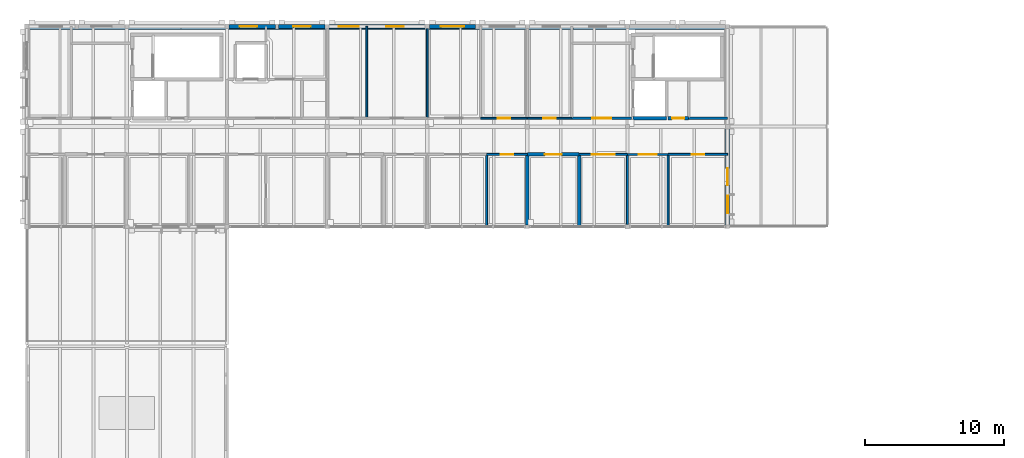
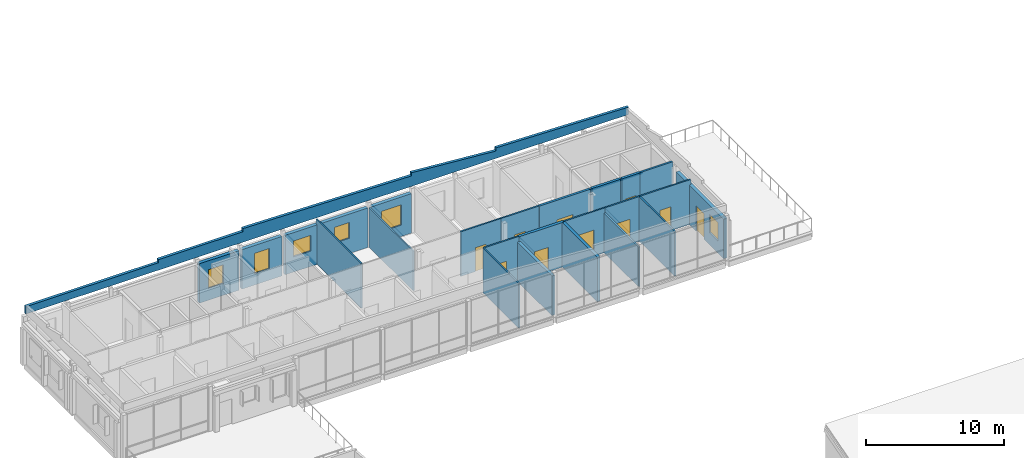
# One storey, part 26 of 32: 24 walls, 10 doors, 6 windows, 16 openings.
"""IFC4 building model written with IfcOpenShell, lengths in metres."""

from ifc_helpers import new_model, si_unit, direction, frame, frame_2d, origin, place, context, subcontext, project, spatial, polyline, rectangle, outline, extrude, material, layer, layer_set, type_object, element, fill, save


model = new_model("IFC4")

# Units and contexts
model_context = context("Model", 3, precision=1e-05, world=origin(), true_north=direction((0.0, 1.0)))
body_context = subcontext(model_context, "Body", "Model", "MODEL_VIEW")
ifc_project = project(units=[si_unit("LENGTHUNIT", "METRE"), si_unit("AREAUNIT", "SQUARE_METRE"), si_unit("VOLUMEUNIT", "CUBIC_METRE"), si_unit("PLANEANGLEUNIT", "RADIAN"), si_unit("MASSUNIT", "GRAM", prefix="KILO")], contexts=[model_context])

# Site, building, storey
site_placement = place(None, origin())
site = spatial("IfcSite", under=ifc_project, at=site_placement, CompositionType="ELEMENT")
building_placement = place(site_placement, origin())
building = spatial("IfcBuilding", under=site, at=building_placement, Name="Hawrajan Terrace Health Centre", CompositionType="ELEMENT")
storey_placement = place(building_placement, frame((0.0, 0.0, 17.39990234375)))
storey = spatial("IfcBuildingStorey", under=building, at=storey_placement, Name="L04", CompositionType="ELEMENT", Elevation=17.39990234375)

# Wall, opening, door
ifc_material_1 = material(Name="Gypsum board on acoustic stud framing")
ifc_layer_1 = layer(ifc_material_1, 0.139892578125)
ifc_layer_set_1 = layer_set([ifc_layer_1], Name="Gypsum board on acoustic stud framing")
wall_type_1 = type_object("IfcWallType", Name="ClinicalAcousticWall_140", PredefinedType="PARTITIONING", material=ifc_layer_set_1)
wall_1_placement = place(storey_placement, frame((37.2451171875, 53.199951171875, 0.0), z_axis=(0.0, 0.0, 1.0), x_axis=(1.0, 0.0, 0.0)))
wall_1 = element("IfcWall", 1, at=wall_1_placement, inside=storey, type_object=wall_type_1, Name="Interior wall IW-L04-1448", PredefinedType="PARTITIONING", context=body_context, shape_type="SweptSolid", body=[
    extrude(rectangle(XDim=3.35498046875, YDim=0.139892578125, at=frame_2d((1.677490234375, 0.0))), origin(), (0.0, 0.0, 1.0), 3.93017578125),
])
opening_1_placement = place(wall_1_placement, frame((1.2275390625, 0.0, 0.0)))
opening_1 = element("IfcOpeningElement", 2, at=opening_1_placement, cuts=wall_1, Name="Opening D-L04-658", PredefinedType="OPENING", context=body_context, shape_type="SweptSolid", body=[
    extrude(rectangle(XDim=0.89990234375, YDim=2.10009765625, at=frame_2d((0.449951171875, 1.050048828125))), frame((0.0, 0.079833984375, 0.0), z_axis=(0.0, -1.0, 0.0), x_axis=(1.0, 0.0, 0.0)), (0.0, 0.0, 1.0), 0.159912109375),
])
ifc_material_2 = material(Name="Hardwood acoustic clinical door leaf and frame", Category="wood")
door_type_1 = type_object("IfcDoorType", Name="PatientWCDoor_900x2100", OperationType="NOTDEFINED", PredefinedType="DOOR", material=ifc_material_2)
door_1_placement = place(opening_1_placement, origin())
door_1 = element("IfcDoor", 3, at=door_1_placement, inside=storey, type_object=door_type_1, Name="Interior door D-L04-658", OperationType="SINGLE_SWING_RIGHT", OverallHeight=2.10009765625, OverallWidth=0.89990234375, PredefinedType="DOOR", context=body_context, shape_type="SweptSolid", body=[
    extrude(rectangle(XDim=0.89990234375, YDim=2.10009765625, at=frame_2d((0.449951171875, 1.050048828125))), frame((0.0, 0.02490234375, 0.0), z_axis=(0.0, -1.0, 0.0), x_axis=(1.0, 0.0, 0.0)), (0.0, 0.0, 1.0), 0.050048828125),
])
fill(opening_1, door_1)

# Wall
wall_2_placement = place(storey_placement, frame((37.669921875, 45.39990234375, 0.0), z_axis=(0.0, 0.0, 1.0), x_axis=(0.0, 1.0, 0.0)))
element("IfcWall", 4, at=wall_2_placement, inside=storey, type_object=wall_type_1, Name="Interior wall IW-L04-1449", PredefinedType="PARTITIONING", context=body_context, shape_type="SweptSolid", body=[
    extrude(rectangle(XDim=5.130126953125, YDim=0.139892578125, at=frame_2d((2.56494140625, 0.0))), origin(), (0.0, 0.0, 1.0), 3.93017578125),
])

# Wall, opening, door
wall_3_placement = place(storey_placement, frame((37.669921875, 50.60009765625, 0.0), z_axis=(0.0, 0.0, 1.0), x_axis=(1.0, 0.0, 0.0)))
wall_3 = element("IfcWall", 5, at=wall_3_placement, inside=storey, type_object=wall_type_1, Name="Interior wall IW-L04-1450", PredefinedType="PARTITIONING", context=body_context, shape_type="SweptSolid", body=[
    extrude(rectangle(XDim=2.93017578125, YDim=0.139892578125, at=frame_2d((1.465087890625, 0.0))), origin(), (0.0, 0.0, 1.0), 3.93017578125),
])
opening_2_placement = place(wall_3_placement, frame((1.014892578125, 0.0, 0.0)))
opening_2 = element("IfcOpeningElement", 6, at=opening_2_placement, cuts=wall_3, Name="Opening D-L04-656", PredefinedType="OPENING", context=body_context, shape_type="SweptSolid", body=[
    extrude(rectangle(XDim=0.89990234375, YDim=2.10009765625, at=frame_2d((0.449951171875, 1.050048828125))), frame((0.0, 0.079833984375, 0.0), z_axis=(0.0, -1.0, 0.0), x_axis=(1.0, 0.0, 0.0)), (0.0, 0.0, 1.0), 0.159912109375),
])
door_2_placement = place(opening_2_placement, origin())
door_2 = element("IfcDoor", 7, at=door_2_placement, inside=storey, type_object=door_type_1, Name="Interior door D-L04-656", OperationType="SINGLE_SWING_RIGHT", OverallHeight=2.10009765625, OverallWidth=0.89990234375, PredefinedType="DOOR", context=body_context, shape_type="SweptSolid", body=[
    extrude(rectangle(XDim=0.89990234375, YDim=2.10009765625, at=frame_2d((0.449951171875, 1.050048828125))), frame((0.0, 0.02490234375, 0.0), z_axis=(0.0, -1.0, 0.0), x_axis=(1.0, 0.0, 0.0)), (0.0, 0.0, 1.0), 0.050048828125),
])
fill(opening_2, door_2)

wall_4_placement = place(storey_placement, frame((40.60009765625, 53.199951171875, 0.0), z_axis=(0.0, 0.0, 1.0), x_axis=(1.0, 0.0, 0.0)))
wall_4 = element("IfcWall", 8, at=wall_4_placement, inside=storey, type_object=wall_type_1, Name="Interior wall IW-L04-1454", PredefinedType="PARTITIONING", context=body_context, shape_type="SweptSolid", body=[
    extrude(rectangle(XDim=3.199951171875, YDim=0.139892578125, at=frame_2d((1.60009765625, 0.0))), origin(), (0.0, 0.0, 1.0), 3.93017578125),
])
opening_3_placement = place(wall_4_placement, frame((1.14990234375, 0.0, 0.0)))
opening_3 = element("IfcOpeningElement", 9, at=opening_3_placement, cuts=wall_4, Name="Opening D-L04-661", PredefinedType="OPENING", context=body_context, shape_type="SweptSolid", body=[
    extrude(rectangle(XDim=0.89990234375, YDim=2.10009765625, at=frame_2d((0.449951171875, 1.050048828125))), frame((0.0, 0.079833984375, 0.0), z_axis=(0.0, -1.0, 0.0), x_axis=(1.0, 0.0, 0.0)), (0.0, 0.0, 1.0), 0.159912109375),
])
door_3_placement = place(opening_3_placement, origin())
door_3 = element("IfcDoor", 10, at=door_3_placement, inside=storey, type_object=door_type_1, Name="Interior door D-L04-661", OperationType="SINGLE_SWING_LEFT", OverallHeight=2.10009765625, OverallWidth=0.89990234375, PredefinedType="DOOR", context=body_context, shape_type="SweptSolid", body=[
    extrude(rectangle(XDim=0.89990234375, YDim=2.10009765625, at=frame_2d((0.449951171875, 1.050048828125))), frame((0.0, 0.02490234375, 0.0), z_axis=(0.0, -1.0, 0.0), x_axis=(1.0, 0.0, 0.0)), (0.0, 0.0, 1.0), 0.050048828125),
])
fill(opening_3, door_3)

wall_5_placement = place(storey_placement, frame((44.322021484375, 50.60009765625, 0.0), z_axis=(0.0, 0.0, 1.0), x_axis=(1.0, 0.0, 0.0)))
wall_5 = element("IfcWall", 11, at=wall_5_placement, inside=storey, type_object=wall_type_1, Name="Interior wall IW-L04-1458", PredefinedType="PARTITIONING", context=body_context, shape_type="SweptSolid", body=[
    extrude(rectangle(XDim=3.47802734375, YDim=0.139892578125, at=frame_2d((1.739013671875, 0.0))), origin(), (0.0, 0.0, 1.0), 3.93017578125),
])
opening_4_placement = place(wall_5_placement, frame((0.908935546875, 0.0, 0.0)))
opening_4 = element("IfcOpeningElement", 12, at=opening_4_placement, cuts=wall_5, Name="Opening D-L04-660", PredefinedType="OPENING", context=body_context, shape_type="SweptSolid", body=[
    extrude(rectangle(XDim=1.659912109375, YDim=2.300048828125, at=frame_2d((0.830078125, 1.14990234375))), frame((0.0, 0.079833984375, 0.0), z_axis=(0.0, -1.0, 0.0), x_axis=(1.0, 0.0, 0.0)), (0.0, 0.0, 1.0), 0.159912109375),
])
door_type_2 = type_object("IfcDoorType", Name="RehabGymDoor_1660x2300", OperationType="DOUBLE_DOOR_SINGLE_SWING", PredefinedType="DOOR", material=ifc_material_2)
door_4_placement = place(opening_4_placement, origin())
door_4 = element("IfcDoor", 13, at=door_4_placement, inside=storey, type_object=door_type_2, Name="Interior door D-L04-660", OperationType="DOUBLE_DOOR_SINGLE_SWING", OverallHeight=2.300048828125, OverallWidth=1.659912109375, PredefinedType="DOOR", context=body_context, shape_type="SweptSolid", body=[
    extrude(rectangle(XDim=1.659912109375, YDim=2.300048828125, at=frame_2d((0.830078125, 1.14990234375))), frame((0.0, 0.02490234375, 0.0), z_axis=(0.0, -1.0, 0.0), x_axis=(1.0, 0.0, 0.0)), (0.0, 0.0, 1.0), 0.050048828125),
])
fill(opening_4, door_4)

# Wall
wall_6_placement = place(storey_placement, frame((47.800048828125, 45.56005859375, 0.0), z_axis=(0.0, 0.0, 1.0), x_axis=(0.0, 1.0, 0.0)))
element("IfcWall", 14, at=wall_6_placement, inside=storey, type_object=wall_type_1, Name="Interior wall IW-L04-1459", PredefinedType="PARTITIONING", context=body_context, shape_type="SweptSolid", body=[
    extrude(rectangle(XDim=4.969970703125, YDim=0.139892578125, at=frame_2d((2.48486328125, 0.0))), origin(), (0.0, 0.0, 1.0), 3.489990234375),
])

# Wall, opening, door
wall_7_placement = place(storey_placement, frame((47.800048828125, 50.60009765625, 0.0), z_axis=(0.0, 0.0, 1.0), x_axis=(1.0, 0.0, 0.0)))
wall_7 = element("IfcWall", 15, at=wall_7_placement, inside=storey, type_object=wall_type_1, Name="Interior wall IW-L04-1460", PredefinedType="PARTITIONING", context=body_context, shape_type="SweptSolid", body=[
    extrude(rectangle(XDim=2.929931640625, YDim=0.139892578125, at=frame_2d((1.46484375, 0.0))), origin(), (0.0, 0.0, 1.0), 3.93017578125),
])
opening_5_placement = place(wall_7_placement, frame((0.824951171875, 0.0, 0.0)))
opening_5 = element("IfcOpeningElement", 16, at=opening_5_placement, cuts=wall_7, Name="Opening D-L04-662", PredefinedType="OPENING", context=body_context, shape_type="SweptSolid", body=[
    extrude(rectangle(XDim=1.280029296875, YDim=2.199951171875, at=frame_2d((0.64013671875, 1.10009765625))), frame((0.0, 0.079833984375, 0.0), z_axis=(0.0, -1.0, 0.0), x_axis=(1.0, 0.0, 0.0)), (0.0, 0.0, 1.0), 0.159912109375),
])
door_type_3 = type_object("IfcDoorType", Name="ExamSuiteDoor_1280x2200", OperationType="NOTDEFINED", PredefinedType="DOOR", material=ifc_material_2)
door_5_placement = place(opening_5_placement, origin())
door_5 = element("IfcDoor", 17, at=door_5_placement, inside=storey, type_object=door_type_3, Name="Interior door D-L04-662", OperationType="SINGLE_SWING_RIGHT", OverallHeight=2.199951171875, OverallWidth=1.280029296875, PredefinedType="DOOR", context=body_context, shape_type="SweptSolid", body=[
    extrude(rectangle(XDim=1.280029296875, YDim=2.199951171875, at=frame_2d((0.64013671875, 1.10009765625))), frame((0.0, 0.02490234375, 0.0), z_axis=(0.0, -1.0, 0.0), x_axis=(1.0, 0.0, 0.0)), (0.0, 0.0, 1.0), 0.050048828125),
])
fill(opening_5, door_5)

# Wall
wall_8_placement = place(storey_placement, frame((50.72998046875, 45.39990234375, 0.0), z_axis=(0.0, 0.0, 1.0), x_axis=(0.0, 1.0, 0.0)))
element("IfcWall", 18, at=wall_8_placement, inside=storey, type_object=wall_type_1, Name="Interior wall IW-L04-1462", PredefinedType="PARTITIONING", context=body_context, shape_type="SweptSolid", body=[
    extrude(rectangle(XDim=5.130126953125, YDim=0.139892578125, at=frame_2d((2.56494140625, 0.0))), origin(), (0.0, 0.0, 1.0), 3.93017578125),
])

# Wall, opening, door
wall_9_placement = place(storey_placement, frame((50.72998046875, 50.60009765625, 0.0), z_axis=(0.0, 0.0, 1.0), x_axis=(1.0, 0.0, 0.0)))
wall_9 = element("IfcWall", 19, at=wall_9_placement, inside=storey, type_object=wall_type_1, Name="Interior wall IW-L04-1463", PredefinedType="PARTITIONING", context=body_context, shape_type="SweptSolid", body=[
    extrude(rectangle(XDim=4.27001953125, YDim=0.139892578125, at=frame_2d((2.135009765625, 0.0))), origin(), (0.0, 0.0, 1.0), 3.93017578125),
])
opening_6_placement = place(wall_9_placement, frame((1.68505859375, 0.0, 0.0)))
opening_6 = element("IfcOpeningElement", 20, at=opening_6_placement, cuts=wall_9, Name="Opening D-L04-663", PredefinedType="OPENING", context=body_context, shape_type="SweptSolid", body=[
    extrude(rectangle(XDim=0.89990234375, YDim=2.10009765625, at=frame_2d((0.449951171875, 1.050048828125))), frame((0.0, 0.079833984375, 0.0), z_axis=(0.0, -1.0, 0.0), x_axis=(1.0, 0.0, 0.0)), (0.0, 0.0, 1.0), 0.159912109375),
])
door_6_placement = place(opening_6_placement, origin())
door_6 = element("IfcDoor", 21, at=door_6_placement, inside=storey, type_object=door_type_1, Name="Interior door D-L04-663", OperationType="SINGLE_SWING_LEFT", OverallHeight=2.10009765625, OverallWidth=0.89990234375, PredefinedType="DOOR", context=body_context, shape_type="SweptSolid", body=[
    extrude(rectangle(XDim=0.89990234375, YDim=2.10009765625, at=frame_2d((0.449951171875, 1.050048828125))), frame((0.0, 0.02490234375, 0.0), z_axis=(0.0, -1.0, 0.0), x_axis=(1.0, 0.0, 0.0)), (0.0, 0.0, 1.0), 0.050048828125),
])
fill(opening_6, door_6)

# Wall
ifc_layer_2 = layer(ifc_material_1, 0.159912109375)
ifc_layer_set_2 = layer_set([ifc_layer_2], Name="Gypsum board on acoustic stud framing")
wall_type_2 = type_object("IfcWallType", Name="CorridorFireWall_160", PredefinedType="PARTITIONING", material=ifc_layer_set_2)
wall_10_placement = place(storey_placement, frame((55.0, 53.199951171875, 0.0), z_axis=(0.0, 0.0, 1.0), x_axis=(-1.0, 0.0, 0.0)))
element("IfcWall", 22, at=wall_10_placement, inside=storey, type_object=wall_type_2, Name="Interior wall IW-L04-1471", PredefinedType="PARTITIONING", context=body_context, shape_type="SweptSolid", body=[
    extrude(rectangle(XDim=2.800048828125, YDim=0.159912109375, at=frame_2d((1.39990234375, 0.0))), origin(), (0.0, 0.0, 1.0), 3.93017578125),
])

# Wall, opening, door
ifc_material_3 = material(Name="Cross-laminated timber CLT C24", Category="wood")
ifc_layer_3 = layer(ifc_material_3, 0.199951171875)
ifc_layer_set_3 = layer_set([ifc_layer_3], Name="Cross-laminated timber CLT C24")
wall_type_3 = type_object("IfcWallType", Name="FireCompartmentWall_200", PredefinedType="PARTITIONING", material=ifc_layer_set_3)
wall_11_placement = place(storey_placement, frame((43.800048828125, 53.199951171875, 0.0), z_axis=(0.0, 0.0, 1.0), x_axis=(1.0, 0.0, 0.0)))
wall_11 = element("IfcWall", 23, at=wall_11_placement, inside=storey, type_object=wall_type_3, Name="Interior wall IW-L04-1456", PredefinedType="PARTITIONING", context=body_context, shape_type="SweptSolid", body=[
    extrude(rectangle(XDim=4.2900390625, YDim=0.199951171875, at=frame_2d((2.14501953125, 0.0))), origin(), (0.0, 0.0, 1.0), 3.93017578125),
])
opening_7_placement = place(wall_11_placement, frame((1.465087890625, 0.0, 0.0)))
opening_7 = element("IfcOpeningElement", 24, at=opening_7_placement, cuts=wall_11, Name="Opening D-L04-638", PredefinedType="OPENING", context=body_context, shape_type="SweptSolid", body=[
    extrude(rectangle(XDim=1.360107421875, YDim=2.199951171875, at=frame_2d((0.68017578125, 1.10009765625))), frame((0.0, 0.10986328125, 0.0), z_axis=(0.0, -1.0, 0.0), x_axis=(1.0, 0.0, 0.0)), (0.0, 0.0, 1.0), 0.219970703125),
])
ifc_material_4 = material(Name="Timber-veneered acoustic fire-resisting door assembly", Category="wood")
door_type_4 = type_object("IfcDoorType", Name="FFLobbyDoor_1360x2200", OperationType="NOTDEFINED", PredefinedType="DOOR", material=ifc_material_4)
door_7_placement = place(opening_7_placement, origin())
door_7 = element("IfcDoor", 25, at=door_7_placement, inside=storey, type_object=door_type_4, Name="Interior door D-L04-638", OperationType="SINGLE_SWING_RIGHT", OverallHeight=2.199951171875, OverallWidth=1.360107421875, PredefinedType="DOOR", context=body_context, shape_type="SweptSolid", body=[
    extrude(rectangle(XDim=1.360107421875, YDim=2.199951171875, at=frame_2d((0.68017578125, 1.10009765625))), frame((0.0, 0.02490234375, 0.0), z_axis=(0.0, -1.0, 0.0), x_axis=(1.0, 0.0, 0.0)), (0.0, 0.0, 1.0), 0.050048828125),
])
fill(opening_7, door_7)

# Wall, opening, window
ifc_layer_4 = layer(ifc_material_3, 0.2900390625)
ifc_layer_set_4 = layer_set([ifc_layer_4], Name="Cross-laminated timber CLT C24")
wall_type_4 = type_object("IfcWallType", Name="InsulatedTimberFacade_290", PredefinedType="SOLIDWALL", material=ifc_layer_set_4)
wall_12_placement = place(storey_placement, frame((19.159912109375, 59.800048828125, 0.0), z_axis=(0.0, 0.0, 1.0), x_axis=(1.0, 0.0, 0.0)))
wall_12 = element("IfcWall", 26, at=wall_12_placement, inside=storey, type_object=wall_type_4, Name="Exterior wall EW-L04-H02-07-1", PredefinedType="SOLIDWALL", context=body_context, shape_type="SweptSolid", body=[
    extrude(rectangle(XDim=3.320068359375, YDim=0.2900390625, at=frame_2d((1.66015625, 0.0))), origin(), (0.0, 0.0, 1.0), 3.489990234375),
])
opening_8_placement = place(wall_12_placement, frame((0.75, 0.0, 1.050048828125)))
opening_8 = element("IfcOpeningElement", 27, at=opening_8_placement, cuts=wall_12, Name="Opening W-L04-219", PredefinedType="OPENING", context=body_context, shape_type="SweptSolid", body=[
    extrude(rectangle(XDim=1.260009765625, YDim=1.64990234375, at=frame_2d((0.6298828125, 0.824951171875))), frame((0.0, 0.155029296875, 0.0), z_axis=(0.0, -1.0, 0.0), x_axis=(1.0, 0.0, 0.0)), (0.0, 0.0, 1.0), 0.31005859375),
])
ifc_material_5 = material(Name="Anodized bronze frame with double low-E glazing", Category="glass")
window_type_1 = type_object("IfcWindowType", Name="FacadeWindow_1260x1650", PartitioningType="SINGLE_PANEL", PredefinedType="WINDOW", material=ifc_material_5)
window_1_placement = place(opening_8_placement, origin())
window_1 = element("IfcWindow", 28, at=window_1_placement, inside=storey, type_object=window_type_1, Name="Window W-L04-219", OverallHeight=1.64990234375, OverallWidth=1.260009765625, PartitioningType="SINGLE_PANEL", PredefinedType="WINDOW", context=body_context, shape_type="SweptSolid", body=[
    extrude(rectangle(XDim=1.260009765625, YDim=1.64990234375, at=frame_2d((0.6298828125, 0.824951171875))), frame((0.0, 0.030029296875, 0.0), z_axis=(0.0, -1.0, 0.0), x_axis=(1.0, 0.0, 0.0)), (0.0, 0.0, 1.0), 0.06005859375),
])
fill(opening_8, window_1)

wall_13_placement = place(storey_placement, frame((22.719970703125, 59.800048828125, 0.0), z_axis=(0.0, 0.0, 1.0), x_axis=(1.0, 0.0, 0.0)))
wall_13 = element("IfcWall", 29, at=wall_13_placement, inside=storey, type_object=wall_type_4, Name="Exterior wall EW-L04-H02-07-2", PredefinedType="SOLIDWALL", context=body_context, shape_type="SweptSolid", body=[
    extrude(rectangle(XDim=3.340087890625, YDim=0.2900390625, at=frame_2d((1.669921875, 0.0))), origin(), (0.0, 0.0, 1.0), 3.489990234375),
])
opening_9_placement = place(wall_13_placement, frame((1.050048828125, 0.0, 1.0)))
opening_9 = element("IfcOpeningElement", 30, at=opening_9_placement, cuts=wall_13, Name="Opening W-L04-220", PredefinedType="OPENING", context=body_context, shape_type="SweptSolid", body=[
    extrude(rectangle(XDim=1.239990234375, YDim=1.800048828125, at=frame_2d((0.6201171875, 0.89990234375))), frame((0.0, 0.155029296875, 0.0), z_axis=(0.0, -1.0, 0.0), x_axis=(1.0, 0.0, 0.0)), (0.0, 0.0, 1.0), 0.31005859375),
])
window_type_2 = type_object("IfcWindowType", Name="FacadeWindow_1240x1800", PartitioningType="SINGLE_PANEL", PredefinedType="WINDOW", material=ifc_material_5)
window_2_placement = place(opening_9_placement, origin())
window_2 = element("IfcWindow", 31, at=window_2_placement, inside=storey, type_object=window_type_2, Name="Window W-L04-220", OverallHeight=1.800048828125, OverallWidth=1.239990234375, PartitioningType="SINGLE_PANEL", PredefinedType="WINDOW", context=body_context, shape_type="SweptSolid", body=[
    extrude(rectangle(XDim=1.239990234375, YDim=1.800048828125, at=frame_2d((0.6201171875, 0.89990234375))), frame((0.0, 0.030029296875, 0.0), z_axis=(0.0, -1.0, 0.0), x_axis=(1.0, 0.0, 0.0)), (0.0, 0.0, 1.0), 0.06005859375),
])
fill(opening_9, window_2)

# Wall, openings, windows
wall_14_placement = place(storey_placement, frame((26.340087890625, 59.800048828125, 0.0), z_axis=(0.0, 0.0, 1.0), x_axis=(1.0, 0.0, 0.0)))
wall_14 = element("IfcWall", 32, at=wall_14_placement, inside=storey, type_object=wall_type_4, Name="Exterior wall EW-L04-H03-07-1", PredefinedType="SOLIDWALL", context=body_context, shape_type="SweptSolid", body=[
    extrude(rectangle(XDim=6.89990234375, YDim=0.2900390625, at=frame_2d((3.449951171875, 0.0))), origin(), (0.0, 0.0, 1.0), 3.489990234375),
])
opening_10_placement = place(wall_14_placement, frame((0.68994140625, 0.0, 1.35009765625)))
opening_10 = element("IfcOpeningElement", 33, at=opening_10_placement, cuts=wall_14, Name="Opening W-L04-221", PredefinedType="OPENING", context=body_context, shape_type="SweptSolid", body=[
    extrude(rectangle(XDim=1.449951171875, YDim=1.39990234375, at=frame_2d((0.72509765625, 0.699951171875))), frame((0.0, 0.155029296875, 0.0), z_axis=(0.0, -1.0, 0.0), x_axis=(1.0, 0.0, 0.0)), (0.0, 0.0, 1.0), 0.31005859375),
])
opening_11_placement = place(wall_14_placement, frame((4.1201171875, 0.0, 1.35009765625)))
opening_11 = element("IfcOpeningElement", 34, at=opening_11_placement, cuts=wall_14, Name="Opening W-L04-222", PredefinedType="OPENING", context=body_context, shape_type="SweptSolid", body=[
    extrude(rectangle(XDim=1.25, YDim=1.39990234375, at=frame_2d((0.625, 0.699951171875))), frame((0.0, 0.155029296875, 0.0), z_axis=(0.0, -1.0, 0.0), x_axis=(1.0, 0.0, 0.0)), (0.0, 0.0, 1.0), 0.31005859375),
])
window_type_3 = type_object("IfcWindowType", Name="FacadeWindow_1250x1400", PartitioningType="SINGLE_PANEL", PredefinedType="WINDOW", material=ifc_material_5)
window_3_placement = place(opening_11_placement, origin())
window_3 = element("IfcWindow", 35, at=window_3_placement, inside=storey, type_object=window_type_3, Name="Window W-L04-222", OverallHeight=1.39990234375, OverallWidth=1.25, PartitioningType="SINGLE_PANEL", PredefinedType="WINDOW", context=body_context, shape_type="SweptSolid", body=[
    extrude(rectangle(XDim=1.25, YDim=1.39990234375, at=frame_2d((0.625, 0.699951171875))), frame((0.0, 0.030029296875, 0.0), z_axis=(0.0, -1.0, 0.0), x_axis=(1.0, 0.0, 0.0)), (0.0, 0.0, 1.0), 0.06005859375),
])
fill(opening_11, window_3)
window_type_4 = type_object("IfcWindowType", Name="FacadeWindow_1450x1400", PartitioningType="SINGLE_PANEL", PredefinedType="WINDOW", material=ifc_material_5)
window_4_placement = place(opening_10_placement, origin())
window_4 = element("IfcWindow", 36, at=window_4_placement, inside=storey, type_object=window_type_4, Name="Window W-L04-221", OverallHeight=1.39990234375, OverallWidth=1.449951171875, PartitioningType="SINGLE_PANEL", PredefinedType="WINDOW", context=body_context, shape_type="SweptSolid", body=[
    extrude(rectangle(XDim=1.449951171875, YDim=1.39990234375, at=frame_2d((0.72509765625, 0.699951171875))), frame((0.0, 0.030029296875, 0.0), z_axis=(0.0, -1.0, 0.0), x_axis=(1.0, 0.0, 0.0)), (0.0, 0.0, 1.0), 0.06005859375),
])
fill(opening_10, window_4)

# Wall, opening, window
wall_15_placement = place(storey_placement, frame((33.56005859375, 59.800048828125, 0.0), z_axis=(0.0, 0.0, 1.0), x_axis=(1.0, 0.0, 0.0)))
wall_15 = element("IfcWall", 37, at=wall_15_placement, inside=storey, type_object=wall_type_4, Name="Exterior wall EW-L04-H04-07-1", PredefinedType="SOLIDWALL", context=body_context, shape_type="SweptSolid", body=[
    extrude(rectangle(XDim=3.31982421875, YDim=0.2900390625, at=frame_2d((1.659912109375, 0.0))), origin(), (0.0, 0.0, 1.0), 3.489990234375),
])
opening_12_placement = place(wall_15_placement, frame((0.830078125, 0.0, 1.0)))
opening_12 = element("IfcOpeningElement", 38, at=opening_12_placement, cuts=wall_15, Name="Opening W-L04-223", PredefinedType="OPENING", context=body_context, shape_type="SweptSolid", body=[
    extrude(rectangle(XDim=1.659912109375, YDim=1.800048828125, at=frame_2d((0.830078125, 0.89990234375))), frame((0.0, 0.155029296875, 0.0), z_axis=(0.0, -1.0, 0.0), x_axis=(1.0, 0.0, 0.0)), (0.0, 0.0, 1.0), 0.31005859375),
])
window_type_5 = type_object("IfcWindowType", Name="FacadeWindow_1660x1800", PartitioningType="DOUBLE_PANEL_VERTICAL", PredefinedType="WINDOW", material=ifc_material_5)
window_5_placement = place(opening_12_placement, origin())
window_5 = element("IfcWindow", 39, at=window_5_placement, inside=storey, type_object=window_type_5, Name="Window W-L04-223", OverallHeight=1.800048828125, OverallWidth=1.659912109375, PartitioningType="DOUBLE_PANEL_VERTICAL", PredefinedType="WINDOW", context=body_context, shape_type="SweptSolid", body=[
    extrude(rectangle(XDim=1.659912109375, YDim=1.800048828125, at=frame_2d((0.830078125, 0.89990234375))), frame((0.0, 0.030029296875, 0.0), z_axis=(0.0, -1.0, 0.0), x_axis=(1.0, 0.0, 0.0)), (0.0, 0.0, 1.0), 0.06005859375),
])
fill(opening_12, window_5)

# Wall, openings, window, door
wall_16_placement = place(storey_placement, frame((55.0, 45.5400390625, 0.0), z_axis=(0.0, 0.0, 1.0), x_axis=(0.0, 1.0, 0.0)))
wall_16 = element("IfcWall", 40, at=wall_16_placement, inside=storey, type_object=wall_type_4, Name="Exterior wall EW-L04-V07-05-1", PredefinedType="SOLIDWALL", context=body_context, shape_type="SweptSolid", body=[
    extrude(rectangle(XDim=6.89990234375, YDim=0.2900390625, at=frame_2d((3.449951171875, 0.0))), origin(), (0.0, 0.0, 1.0), 3.489990234375),
])
opening_13_placement = place(wall_16_placement, frame((2.85009765625, 0.0, 0.0)))
opening_13 = element("IfcOpeningElement", 41, at=opening_13_placement, cuts=wall_16, Name="Opening D-L04-E026", PredefinedType="OPENING", context=body_context, shape_type="SweptSolid", body=[
    extrude(rectangle(XDim=1.199951171875, YDim=2.25, at=frame_2d((0.60009765625, 1.125))), frame((0.0, 0.155029296875, 0.0), z_axis=(0.0, -1.0, 0.0), x_axis=(1.0, 0.0, 0.0)), (0.0, 0.0, 1.0), 0.31005859375),
])
opening_14_placement = place(wall_16_placement, frame((0.824951171875, 0.0, 1.050048828125)))
opening_14 = element("IfcOpeningElement", 42, at=opening_14_placement, cuts=wall_16, Name="Opening W-L04-227", PredefinedType="OPENING", context=body_context, shape_type="SweptSolid", body=[
    extrude(rectangle(XDim=1.260009765625, YDim=1.64990234375, at=frame_2d((0.6298828125, 0.824951171875))), frame((0.0, 0.155029296875, 0.0), z_axis=(0.0, -1.0, 0.0), x_axis=(1.0, 0.0, 0.0)), (0.0, 0.0, 1.0), 0.31005859375),
])
window_6_placement = place(opening_14_placement, origin())
window_6 = element("IfcWindow", 43, at=window_6_placement, inside=storey, type_object=window_type_1, Name="Window W-L04-227", OverallHeight=1.64990234375, OverallWidth=1.260009765625, PartitioningType="SINGLE_PANEL", PredefinedType="WINDOW", context=body_context, shape_type="SweptSolid", body=[
    extrude(rectangle(XDim=1.260009765625, YDim=1.64990234375, at=frame_2d((0.6298828125, 0.824951171875))), frame((0.0, 0.030029296875, 0.0), z_axis=(0.0, -1.0, 0.0), x_axis=(1.0, 0.0, 0.0)), (0.0, 0.0, 1.0), 0.06005859375),
])
fill(opening_14, window_6)
ifc_material_6 = material(Name="Anodized bronze thermally broken fire-rated glazed door")
door_type_5 = type_object("IfcDoorType", Name="TerraceAccessDoor_1200x2250", OperationType="NOTDEFINED", PredefinedType="DOOR", material=ifc_material_6)
door_8_placement = place(opening_13_placement, frame((1.199951171875, 0.0, 0.0), z_axis=(0.0, 0.0, 1.0), x_axis=(-1.0, 0.0, 0.0)))
door_8 = element("IfcDoor", 44, at=door_8_placement, inside=storey, type_object=door_type_5, Name="Cardiology East Terrace Door D-L04-E026", OperationType="SINGLE_SWING_RIGHT", OverallHeight=2.25, OverallWidth=1.199951171875, PredefinedType="DOOR", context=body_context, shape_type="SweptSolid", body=[
    extrude(rectangle(XDim=1.199951171875, YDim=2.25, at=frame_2d((0.60009765625, 1.125))), frame((0.0, 0.02490234375, 0.0), z_axis=(0.0, -1.0, 0.0), x_axis=(1.0, 0.0, 0.0)), (0.0, 0.0, 1.0), 0.050048828125),
])
fill(opening_13, door_8)

# Wall
ifc_material_7 = material(Name="Concrete C40/50", Category="concrete")
ifc_layer_5 = layer(ifc_material_7, 0.25)
ifc_layer_set_5 = layer_set([ifc_layer_5], Name="Concrete C40/50")
wall_type_5 = type_object("IfcWallType", Name="RadiationShieldWall_RC250", PredefinedType="SOLIDWALL", material=ifc_layer_set_5)
wall_17_placement = place(storey_placement, frame((40.60009765625, 45.5400390625, 0.0), z_axis=(0.0, 0.0, 1.0), x_axis=(0.0, 1.0, 0.0)))
element("IfcWall", 45, at=wall_17_placement, inside=storey, type_object=wall_type_5, Name="Interior wall IW-L04-1451", PredefinedType="SOLIDWALL", context=body_context, shape_type="SweptSolid", body=[
    extrude(rectangle(XDim=4.989990234375, YDim=0.25, at=frame_2d((2.4951171875, 0.0))), origin(), (0.0, 0.0, 1.0), 3.489990234375),
])

# Wall, opening, door
wall_18_placement = place(storey_placement, frame((40.60009765625, 50.60009765625, 0.0), z_axis=(0.0, 0.0, 1.0), x_axis=(1.0, 0.0, 0.0)))
wall_18 = element("IfcWall", 46, at=wall_18_placement, inside=storey, type_object=wall_type_5, Name="Interior wall IW-L04-1452", PredefinedType="SOLIDWALL", context=body_context, shape_type="SweptSolid", body=[
    extrude(rectangle(XDim=3.721923828125, YDim=0.25, at=frame_2d((1.86083984375, 0.0))), origin(), (0.0, 0.0, 1.0), 3.93017578125),
])
opening_15_placement = place(wall_18_placement, frame((1.260986328125, 0.0, 0.0)))
opening_15 = element("IfcOpeningElement", 47, at=opening_15_placement, cuts=wall_18, Name="Opening D-L04-659", PredefinedType="OPENING", context=body_context, shape_type="SweptSolid", body=[
    extrude(rectangle(XDim=1.199951171875, YDim=2.14990234375, at=frame_2d((0.60009765625, 1.074951171875))), frame((0.0, 0.135009765625, 0.0), z_axis=(0.0, -1.0, 0.0), x_axis=(1.0, 0.0, 0.0)), (0.0, 0.0, 1.0), 0.27001953125),
])
door_type_6 = type_object("IfcDoorType", Name="PharmacyFireDoor_1200x2150", OperationType="NOTDEFINED", PredefinedType="DOOR", material=ifc_material_4)
door_9_placement = place(opening_15_placement, origin())
door_9 = element("IfcDoor", 48, at=door_9_placement, inside=storey, type_object=door_type_6, Name="Interior door D-L04-659", OperationType="SINGLE_SWING_LEFT", OverallHeight=2.14990234375, OverallWidth=1.199951171875, PredefinedType="DOOR", context=body_context, shape_type="SweptSolid", body=[
    extrude(rectangle(XDim=1.199951171875, YDim=2.14990234375, at=frame_2d((0.60009765625, 1.074951171875))), frame((0.0, 0.02490234375, 0.0), z_axis=(0.0, -1.0, 0.0), x_axis=(1.0, 0.0, 0.0)), (0.0, 0.0, 1.0), 0.050048828125),
])
fill(opening_15, door_9)

# Walls
wall_19_placement = place(storey_placement, frame((44.322021484375, 45.39990234375, 0.0), z_axis=(0.0, 0.0, 1.0), x_axis=(0.0, 1.0, 0.0)))
element("IfcWall", 49, at=wall_19_placement, inside=storey, type_object=wall_type_5, Name="Interior wall IW-L04-1457", PredefinedType="SOLIDWALL", context=body_context, shape_type="SweptSolid", body=[
    extrude(rectangle(XDim=5.130126953125, YDim=0.25, at=frame_2d((2.56494140625, 0.0))), origin(), (0.0, 0.0, 1.0), 3.93017578125),
])
ifc_layer_6 = layer(ifc_material_7, 0.219970703125)
ifc_layer_set_6 = layer_set([ifc_layer_6], Name="Concrete C40/50")
wall_type_6 = type_object("IfcWallType", Name="ShaftWall_RC220", PredefinedType="SOLIDWALL", material=ifc_layer_set_6)
wall_20_placement = place(storey_placement, frame((48.199951171875, 53.199951171875, 0.0), z_axis=(0.0, 0.0, 1.0), x_axis=(1.0, 0.0, 0.0)))
element("IfcWall", 50, at=wall_20_placement, inside=storey, type_object=wall_type_6, Name="Lift shaft wall LW-LC-03-L04-S", PredefinedType="SOLIDWALL", context=body_context, shape_type="SweptSolid", body=[
    extrude(rectangle(XDim=2.400146484375, YDim=0.219970703125, at=frame_2d((1.2001953125, 0.0))), origin(), (0.0, 0.0, 1.0), 3.9501953125),
])

# Wall, opening, door
wall_21_placement = place(storey_placement, frame((50.7099609375, 53.199951171875, 0.0), z_axis=(0.0, 0.0, 1.0), x_axis=(1.0, 0.0, 0.0)))
wall_21 = element("IfcWall", 51, at=wall_21_placement, inside=storey, type_object=wall_type_6, Name="Interior wall IW-L04-1461", PredefinedType="SOLIDWALL", context=body_context, shape_type="SweptSolid", body=[
    extrude(rectangle(XDim=1.489990234375, YDim=0.219970703125, at=frame_2d((0.7451171875, 0.0))), origin(), (0.0, 0.0, 1.0), 3.93017578125),
])
opening_16_placement = place(wall_21_placement, frame((0.304931640625, 0.0, 0.0)))
opening_16 = element("IfcOpeningElement", 52, at=opening_16_placement, cuts=wall_21, Name="Opening D-L04-643", PredefinedType="OPENING", context=body_context, shape_type="SweptSolid", body=[
    extrude(rectangle(XDim=0.8798828125, YDim=2.050048828125, at=frame_2d((0.43994140625, 1.02490234375))), frame((0.0, 0.119873046875, 0.0), z_axis=(0.0, -1.0, 0.0), x_axis=(1.0, 0.0, 0.0)), (0.0, 0.0, 1.0), 0.239990234375),
])
door_type_7 = type_object("IfcDoorType", Name="RiserAccessDoor_880x2050", OperationType="NOTDEFINED", PredefinedType="DOOR", material=ifc_material_4)
door_10_placement = place(opening_16_placement, origin())
door_10 = element("IfcDoor", 53, at=door_10_placement, inside=storey, type_object=door_type_7, Name="Service riser access door D-L04-643", OperationType="SINGLE_SWING_LEFT", OverallHeight=2.050048828125, OverallWidth=0.8798828125, PredefinedType="DOOR", context=body_context, shape_type="SweptSolid", body=[
    extrude(rectangle(XDim=0.8798828125, YDim=2.050048828125, at=frame_2d((0.43994140625, 1.02490234375))), frame((0.0, 0.02490234375, 0.0), z_axis=(0.0, -1.0, 0.0), x_axis=(1.0, 0.0, 0.0)), (0.0, 0.0, 1.0), 0.050048828125),
])
fill(opening_16, door_10)

# Walls
ifc_material_8 = material(Name="Moisture-resistant board on stud framing")
ifc_layer_7 = layer(ifc_material_8, 0.1201171875)
ifc_layer_set_7 = layer_set([ifc_layer_7], Name="Moisture-resistant board on stud framing")
wall_type_7 = type_object("IfcWallType", Name="WetRoomPartition_120", PredefinedType="PLUMBINGWALL", material=ifc_layer_set_7)
wall_22_placement = place(storey_placement, frame((29.050048828125, 53.27001953125, 0.0), z_axis=(0.0, 0.0, 1.0), x_axis=(0.0, 1.0, 0.0)))
element("IfcWall", 54, at=wall_22_placement, inside=storey, type_object=wall_type_7, Name="Interior wall IW-L04-1439", PredefinedType="PLUMBINGWALL", context=body_context, shape_type="SweptSolid", body=[
    extrude(rectangle(XDim=6.530029296875, YDim=0.1201171875, at=frame_2d((3.26513671875, 0.0))), origin(), (0.0, 0.0, 1.0), 3.93017578125),
])
wall_23_placement = place(storey_placement, frame((33.39990234375, 53.27001953125, 0.0), z_axis=(0.0, 0.0, 1.0), x_axis=(0.0, 1.0, 0.0)))
element("IfcWall", 55, at=wall_23_placement, inside=storey, type_object=wall_type_7, Name="Interior wall IW-L04-1445", PredefinedType="PLUMBINGWALL", context=body_context, shape_type="SweptSolid", body=[
    extrude(rectangle(XDim=6.369873046875, YDim=0.1201171875, at=frame_2d((3.18505859375, 0.0))), origin(), (0.0, 0.0, 1.0), 3.489990234375),
])
ifc_material_9 = material(Name="Precast concrete C40/50", Category="concrete")
ifc_layer_8 = layer(ifc_material_9, 0.22998046875)
ifc_layer_set_8 = layer_set([ifc_layer_8], Name="Precast concrete C40/50")
wall_type_8 = type_object("IfcWallType", Name="ZigguratParapet_230", PredefinedType="PARAPET", material=ifc_layer_set_8)
wall_24_placement = place(storey_placement, frame((4.60009765625, 59.679931640625, 4.2001953125), z_axis=(0.0, 0.0, 1.0), x_axis=(1.0, 0.0, 0.0)))
element("IfcWall", 56, at=wall_24_placement, inside=storey, type_object=wall_type_8, Name="Stepped Art Deco parapet PAR-RF-N", PredefinedType="PARAPET", context=body_context, shape_type="SweptSolid", body=[
    extrude(outline(polyline([(0.0, 0.0), (50.39990234375, 0.0), (50.39990234375, 0.64990234375), (39.31201171875, 0.9248046875), (39.31201171875, 0.64990234375), (32.256103515625, 1.199951171875), (32.256103515625, 0.9248046875), (18.14404296875, 1.199951171875), (18.14404296875, 0.9248046875), (11.087890625, 0.9248046875), (11.087890625, 0.64990234375), (0.0, 0.64990234375), (0.0, 0.0)])), frame((0.0, 0.114990234375, 0.0), z_axis=(0.0, -1.0, 0.0), x_axis=(1.0, 0.0, 0.0)), (0.0, 0.0, 1.0), 0.22998046875),
])

save(model, "model.ifc")
